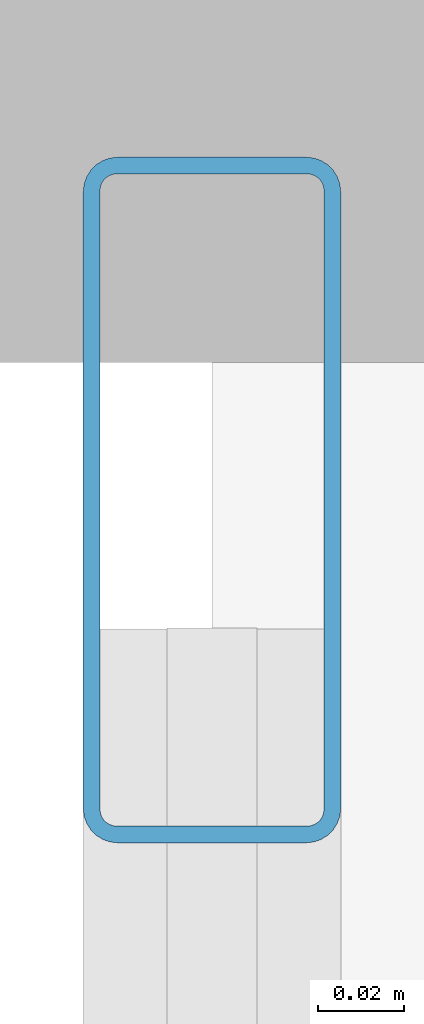
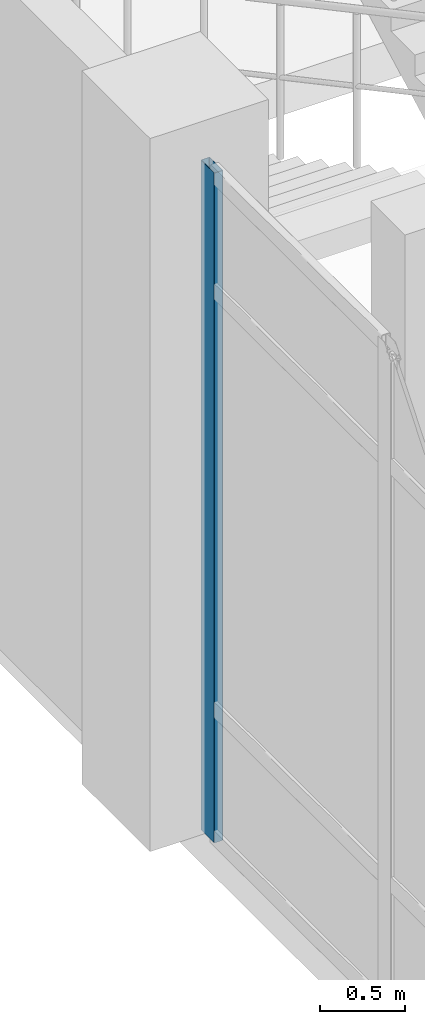
# One storey, part 15 of 124: 1 member, 1 element without a shape of its own.
"""IFC4 building model written with IfcOpenShell, lengths in metres."""

from ifc_helpers import new_model, si_unit, derived_unit, direction, frame, origin, origin_2d, place, context, subcontext, project, spatial, hollow_rectangle, extrude, material, layer, layer_set, material_profile, profile_set, type_object, element, aggregate, save


model = new_model("IFC4")

# Units and contexts
model_context = context("Model", 3, precision=1e-05, world=origin(), true_north=direction((0.0, 1.0)))
body_context = subcontext(model_context, "Body", "Model", "MODEL_VIEW")
ifc_project = project(units=[si_unit("LENGTHUNIT", "METRE"), si_unit("AREAUNIT", "SQUARE_METRE"), si_unit("VOLUMEUNIT", "CUBIC_METRE"), si_unit("PLANEANGLEUNIT", "RADIAN"), si_unit("MASSUNIT", "GRAM", prefix="KILO"), derived_unit("THERMALTRANSMITTANCEUNIT", [(si_unit("MASSUNIT", "GRAM", prefix="KILO"), 1), (si_unit("TIMEUNIT", "SECOND"), -3), (si_unit("THERMODYNAMICTEMPERATUREUNIT", "KELVIN"), -1)])], contexts=[model_context])

# Site, building, storey
site_placement = place(None, origin())
site = spatial("IfcSite", under=ifc_project, at=site_placement, CompositionType="ELEMENT")
building_placement = place(site_placement, origin())
building = spatial("IfcBuilding", under=site, at=building_placement, Name="Qinzheling Arcade Emporium", CompositionType="ELEMENT")
storey_placement = place(building_placement, frame((0.0, 0.0, 16.5)))
storey = spatial("IfcBuildingStorey", under=building, at=storey_placement, Name="L04", CompositionType="ELEMENT", Elevation=16.5)

# Curtain wall, member
ifc_material_1 = material(Name="Anodised aluminium and solar-control double glazing", Category="aluminium")
ifc_layer = layer(ifc_material_1, 0.159912109375, Name="Anodised aluminium and solar-control double glazing", Category="aluminium")
ifc_layer_set = layer_set([ifc_layer], Name="Anodised aluminium and solar-control double glazing")
curtain_wall_type = type_object("IfcCurtainWallType", Name="Arcade Portal Glazed Curtain Wall", PredefinedType="NOTDEFINED", material=ifc_layer_set)
curtain_wall_placement = place(storey_placement, origin())
curtain_wall = element("IfcCurtainWall", 1, at=curtain_wall_placement, inside=storey, type_object=curtain_wall_type, Name="Curtain Wall CW-L04-237", PredefinedType="NOTDEFINED")
ifc_material_2 = material(Name="Anodised aluminium 6063-T6", Category="aluminium")
ifc_material_profile = material_profile(ifc_material_2, hollow_rectangle(XDim=0.06005859375, YDim=0.159912109375, WallThickness=0.00390625, InnerFilletRadius=0.00390625, OuterFilletRadius=0.008056640625, at=origin_2d()), Name="RHS 160x60x4", Category="aluminium")
ifc_profile_set = profile_set([ifc_material_profile], Name="Anodised aluminium 6063-T6")
member_type = type_object("IfcMemberType", Name="Curtain Wall Mullion RHS160x60", PredefinedType="MULLION", material=ifc_profile_set)
member_placement = place(storey_placement, frame((0.0, 33.16796875, 0.0), z_axis=(0.0, 0.0, 1.0), x_axis=(-1.0, 0.0, 0.0)))
member = element("IfcMember", 2, at=member_placement, type_object=member_type, Name="CW05 mullion 3", PredefinedType="MULLION", context=body_context, shape_type="SweptSolid", body=[
    extrude(hollow_rectangle(XDim=0.06005859375, YDim=0.159912109375, WallThickness=0.00390625, InnerFilletRadius=0.00390625, OuterFilletRadius=0.008056640625, at=origin_2d()), origin(), (0.0, 0.0, 1.0), 4.7900390625),
])
aggregate(curtain_wall, [member])

save(model, "model.ifc")
